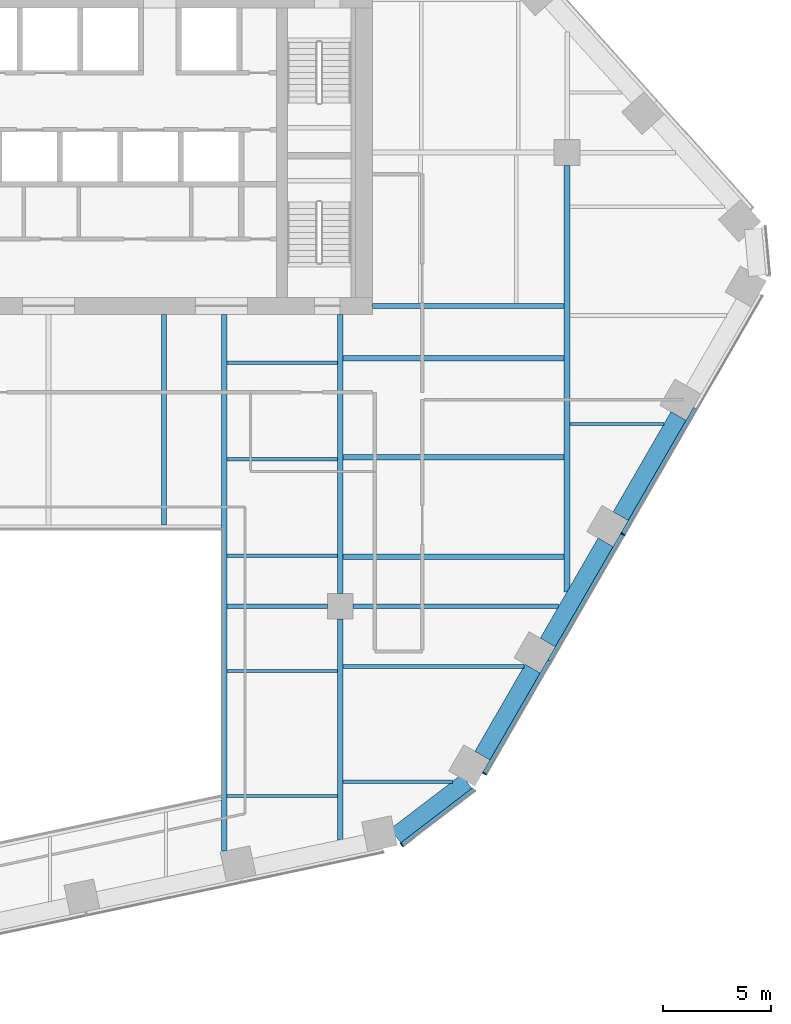
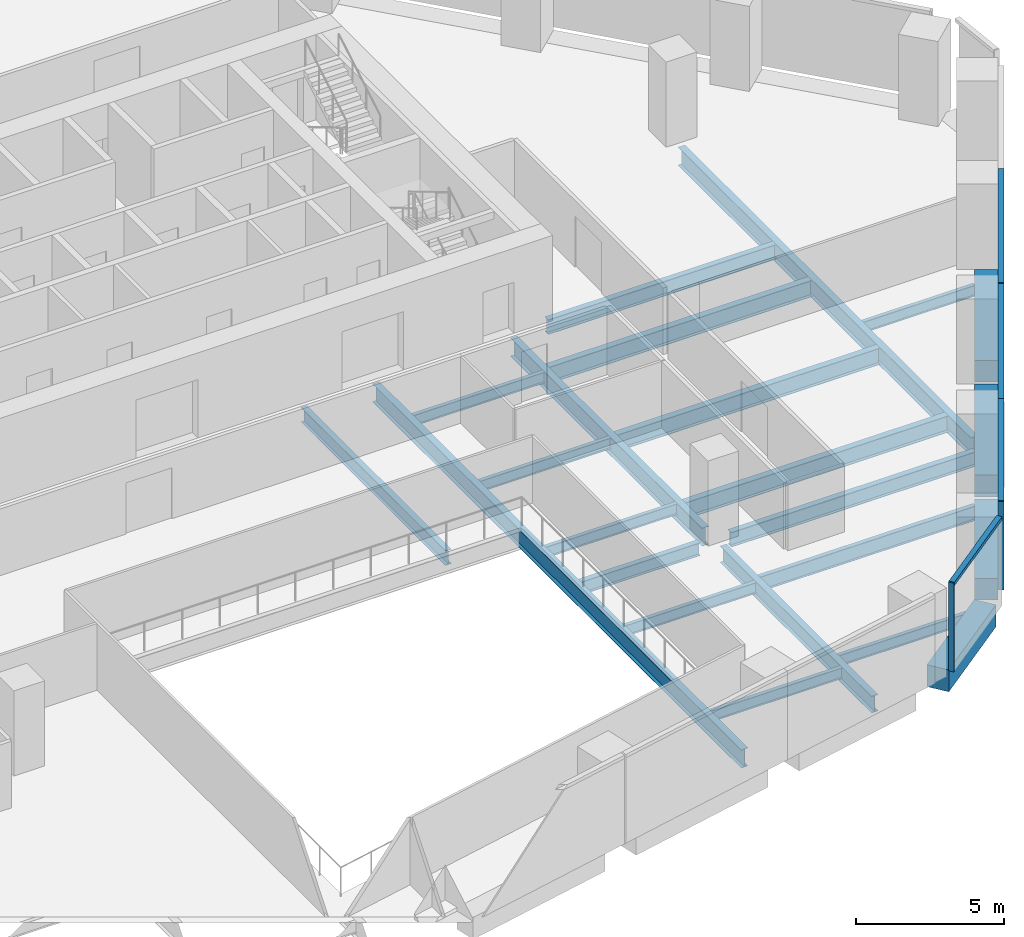
# One storey, part 5 of 16: 23 beams, 7 members, 2 elements without a shape of their own.
"""IFC4 building model written with IfcOpenShell, lengths in metres."""

from ifc_helpers import new_model, si_unit, direction, frame, origin, origin_2d, place, context, subcontext, project, spatial, rectangle, i_section, extrude, material, layer, layer_set, material_profile, profile_set, type_object, element, aggregate, save


model = new_model("IFC4")

# Units and contexts
model_context = context("Model", 3, precision=1e-05, world=origin(), true_north=direction((0.0, 1.0)))
body_context = subcontext(model_context, "Body", "Model", "MODEL_VIEW")
ifc_project = project(units=[si_unit("LENGTHUNIT", "METRE"), si_unit("AREAUNIT", "SQUARE_METRE"), si_unit("VOLUMEUNIT", "CUBIC_METRE"), si_unit("PLANEANGLEUNIT", "RADIAN"), si_unit("MASSUNIT", "GRAM", prefix="KILO")], contexts=[model_context])

# Site, building, storey
site_placement = place(None, origin())
site = spatial("IfcSite", under=ifc_project, at=site_placement, CompositionType="ELEMENT")
building_placement = place(site_placement, origin())
building = spatial("IfcBuilding", under=site, at=building_placement, Name="Isthmus Gate Tower", CompositionType="ELEMENT")
storey_placement = place(building_placement, frame((0.0, 0.0, 148.050048828125)))
storey = spatial("IfcBuildingStorey", under=building, at=storey_placement, Name="L36", CompositionType="ELEMENT", Elevation=148.050048828125)

# Curtain wall, member
ifc_material_1 = material(Name="Aluminium, pale champagne anodised", Category="aluminium")
ifc_layer = layer(ifc_material_1, 0.199951171875)
ifc_layer_set = layer_set([ifc_layer], Name="CW-1 UNITISED CURTAIN WALL 200 DEEP")
curtain_wall_type = type_object("IfcCurtainWallType", Name="CW-1 UNITISED CURTAIN WALL 200 DEEP", PredefinedType="NOTDEFINED", material=ifc_layer_set)
curtain_wall_1_placement = place(storey_placement, origin())
curtain_wall_1 = element("IfcCurtainWall", 1, at=curtain_wall_1_placement, inside=storey, type_object=curtain_wall_type, Name="CW-1 S-SE L36", PredefinedType="NOTDEFINED")
ifc_material_2 = material(Name="Aluminium, pale champagne anodised", Category="aluminium")
ifc_material_profile_1 = material_profile(ifc_material_2, rectangle(XDim=0.06005859375, YDim=0.199951171875, at=origin_2d()), Name="60x200")
ifc_profile_set_1 = profile_set([ifc_material_profile_1], Name="Aluminium, pale champagne anodised")
member_type_1 = type_object("IfcMemberType", Name="CW-1 MULLION 60 X 200", PredefinedType="MULLION", material=ifc_profile_set_1)
member_1_placement = place(storey_placement, frame((16.346435546875, -24.5419921875, 0.0), z_axis=(0.0, 0.0, 1.0), x_axis=(0.794188594387, 0.607671355706, 0.0)))
member_1 = element("IfcMember", 2, at=member_1_placement, type_object=member_type_1, Name="CW-1 mullion", PredefinedType="MULLION", context=body_context, shape_type="SweptSolid", body=[
    extrude(rectangle(XDim=0.06005859375, YDim=0.199951171875, at=origin_2d()), origin(), (0.0, 0.0, 1.0), 3.64990234375),
])

# Curtain wall, members
curtain_wall_2_placement = place(storey_placement, origin())
curtain_wall_2 = element("IfcCurtainWall", 3, at=curtain_wall_2_placement, inside=storey, type_object=curtain_wall_type, Name="CW-1 SE L36", PredefinedType="NOTDEFINED")
member_2_placement = place(storey_placement, frame((20.18115234375, -21.245361328125, 0.0), z_axis=(0.0, 0.0, 1.0), x_axis=(0.5, 0.866025403784, 0.0)))
member_2 = element("IfcMember", 4, at=member_2_placement, type_object=member_type_1, Name="CW-1 mullion", PredefinedType="MULLION", context=body_context, shape_type="SweptSolid", body=[
    extrude(rectangle(XDim=0.06005859375, YDim=0.199951171875, at=origin_2d()), origin(), (0.0, 0.0, 1.0), 3.64990234375),
])
member_3_placement = place(storey_placement, frame((26.5810546875, -10.16015625, 0.0), z_axis=(0.0, 0.0, 1.0), x_axis=(0.5, 0.866025403784, 0.0)))
member_3 = element("IfcMember", 5, at=member_3_placement, type_object=member_type_1, Name="CW-1 mullion", PredefinedType="MULLION", context=body_context, shape_type="SweptSolid", body=[
    extrude(rectangle(XDim=0.06005859375, YDim=0.199951171875, at=origin_2d()), origin(), (0.0, 0.0, 1.0), 3.64990234375),
])

# Member
ifc_material_3 = material(Name="Aluminium, pale champagne anodised", Category="aluminium")
ifc_material_profile_2 = material_profile(ifc_material_3, rectangle(XDim=0.199951171875, YDim=0.139892578125, at=origin_2d()), Name="200x140")
ifc_profile_set_2 = profile_set([ifc_material_profile_2], Name="Aluminium, pale champagne anodised")
member_type_2 = type_object("IfcMemberType", Name="CW-1 TRANSOM 200 X 140", PredefinedType="USERDEFINED", material=ifc_profile_set_2)
member_4_placement = place(storey_placement, frame((16.3701171875, -24.52392578125, 3.579833984375), z_axis=(0.79419705805, 0.607660294066, 0.0), x_axis=(-0.607660294066, 0.79419705805, 0.0)))
member_4 = element("IfcMember", 6, at=member_4_placement, type_object=member_type_2, Name="CW-1 transom", ObjectType="TRANSOM", PredefinedType="USERDEFINED", context=body_context, shape_type="SweptSolid", body=[
    extrude(rectangle(XDim=0.199951171875, YDim=0.139892578125, at=origin_2d()), origin(), (0.0, 0.0, 1.0), 4.181640625),
])

aggregate(curtain_wall_1, [member_1, member_4])

member_5_placement = place(storey_placement, frame((20.196044921875, -21.219482421875, 3.579833984375), z_axis=(0.499996458184, 0.866027448643, 0.0), x_axis=(-0.866027448643, 0.499996458184, 0.0)))
member_5 = element("IfcMember", 7, at=member_5_placement, type_object=member_type_2, Name="CW-1 transom", ObjectType="TRANSOM", PredefinedType="USERDEFINED", context=body_context, shape_type="SweptSolid", body=[
    extrude(rectangle(XDim=0.199951171875, YDim=0.139892578125, at=origin_2d()), origin(), (0.0, 0.0, 1.0), 5.990234375),
])

member_6_placement = place(storey_placement, frame((23.191162109375, -16.03173828125, 3.579833984375), z_axis=(0.499997969693, 0.866026575979, 0.0), x_axis=(-0.866026575979, 0.499997969693, 0.0)))
member_6 = element("IfcMember", 8, at=member_6_placement, type_object=member_type_2, Name="CW-1 transom", ObjectType="TRANSOM", PredefinedType="USERDEFINED", context=body_context, shape_type="SweptSolid", body=[
    extrude(rectangle(XDim=0.199951171875, YDim=0.139892578125, at=origin_2d()), origin(), (0.0, 0.0, 1.0), 6.75),
])

member_7_placement = place(storey_placement, frame((26.59619140625, -10.134033203125, 3.579833984375), z_axis=(0.499997283838, 0.866026971956, 0.0), x_axis=(-0.866026971956, 0.499997283838, 0.0)))
member_7 = element("IfcMember", 9, at=member_7_placement, type_object=member_type_2, Name="CW-1 transom", ObjectType="TRANSOM", PredefinedType="USERDEFINED", context=body_context, shape_type="SweptSolid", body=[
    extrude(rectangle(XDim=0.199951171875, YDim=0.139892578125, at=origin_2d()), origin(), (0.0, 0.0, 1.0), 6.68994140625),
])

aggregate(curtain_wall_2, [member_2, member_5, member_6, member_3, member_7])

# Beams
ifc_material_4 = material(Name="Concrete f'c 60 MPa", Category="concrete")
ifc_material_profile_3 = material_profile(ifc_material_4, rectangle(XDim=0.800048828125, YDim=0.89990234375, at=origin_2d()), Name="RC 800X900")
ifc_profile_set_3 = profile_set([ifc_material_profile_3], Name="Concrete f'c 60 MPa")
beam_type_1 = type_object("IfcBeamType", Name="RC SPANDREL 800 X 900", PredefinedType="SPANDREL", material=ifc_profile_set_3)
for number, where, z_axis, x_axis, name in (
    (10, (29.158203125, -4.696533203125, -0.449951171875), (-0.500001594578, -0.866024483152, 0.0), (0.866024483152, -0.500001594578, 0.0), "str-spandrel-L36-07"),
    (11, (25.783203125, -10.542236328125, -0.449951171875), (-0.500001594578, -0.866024483152, 0.0), (0.866024483152, -0.500001594578, 0.0), "str-spandrel-L36-08"),
):
    element("IfcBeam", number, at=place(storey_placement, frame(where, z_axis=z_axis, x_axis=x_axis)), inside=storey, type_object=beam_type_1, Name=name, PredefinedType="SPANDREL", context=body_context, shape_type="SweptSolid", body=[
        extrude(rectangle(XDim=0.800048828125, YDim=0.89990234375, at=origin_2d()), origin(), (0.0, 0.0, 1.0), 5.35009765625),
    ])
beam_1_placement = place(storey_placement, frame((22.408203125, -16.387939453125, -0.449951171875), z_axis=(-0.500001179632, -0.866024722723, 0.0), x_axis=(0.866024722723, -0.500001179632, 0.0)))
element("IfcBeam", 12, at=beam_1_placement, inside=storey, type_object=beam_type_1, Name="str-spandrel-L36-09", PredefinedType="SPANDREL", context=body_context, shape_type="SweptSolid", body=[
    extrude(rectangle(XDim=0.800048828125, YDim=0.89990234375, at=origin_2d()), origin(), (0.0, 0.0, 1.0), 4.650390625),
])
beam_2_placement = place(storey_placement, frame((19.354248046875, -21.611083984375, -0.449951171875), z_axis=(-0.794205941875, -0.607648682949, 0.0), x_axis=(0.607648682949, -0.794205941875, 0.0)))
element("IfcBeam", 13, at=beam_2_placement, inside=storey, type_object=beam_type_1, Name="str-spandrel-L36-10", PredefinedType="SPANDREL", context=body_context, shape_type="SweptSolid", body=[
    extrude(rectangle(XDim=0.800048828125, YDim=0.89990234375, at=origin_2d()), origin(), (0.0, 0.0, 1.0), 4.15234375),
])
ifc_material_5 = material(Name="Structural steel ASTM A992 Gr 50", Category="steel")
ifc_material_profile_4 = material_profile(ifc_material_5, i_section(OverallWidth=0.15234375, OverallDepth=0.45068359375, WebThickness=0.0078125, FlangeThickness=0.010986328125, at=origin_2d()), Name="W18X35")
ifc_profile_set_4 = profile_set([ifc_material_profile_4], Name="Structural steel ASTM A992 Gr 50")
beam_type_2 = type_object("IfcBeamType", Name="STEEL FLOOR BEAM W18X35", PredefinedType="JOIST", material=ifc_profile_set_4)
for number, where, z_axis, x_axis, name in (
    (14, (8.263427734375, -22.283203125, -0.37548828125), (1.0, 0.0, 0.0), (0.0, 1.0, 0.0), "str-beam-L36-09-00"),
    (15, (8.263427734375, -16.49755859375, -0.37548828125), (1.0, 0.0, 0.0), (0.0, 1.0, 0.0), "str-beam-L36-09-01"),
):
    element("IfcBeam", number, at=place(storey_placement, frame(where, z_axis=z_axis, x_axis=x_axis)), inside=storey, type_object=beam_type_2, Name=name, PredefinedType="JOIST", context=body_context, shape_type="SweptSolid", body=[
        extrude(i_section(OverallWidth=0.15234375, OverallDepth=0.45068359375, WebThickness=0.0078125, FlangeThickness=0.010986328125, at=origin_2d()), origin(), (0.0, 0.0, 1.0), 5.109619140625),
    ])
for number, where, z_axis, x_axis, name in (
    (16, (8.263427734375, -11.16259765625, -0.37548828125), (1.0, 0.0, 0.0), (0.0, 1.0, 0.0), "str-beam-L36-10-00"),
    (17, (8.263427734375, -6.697509765625, -0.37548828125), (1.0, 0.0, 0.0), (0.0, 1.0, 0.0), "str-beam-L36-10-01"),
    (18, (8.263427734375, -2.232421875, -0.37548828125), (1.0, 0.0, 0.0), (0.0, 1.0, 0.0), "str-beam-L36-10-02"),
):
    element("IfcBeam", number, at=place(storey_placement, frame(where, z_axis=z_axis, x_axis=x_axis)), inside=storey, type_object=beam_type_2, Name=name, PredefinedType="JOIST", context=body_context, shape_type="SweptSolid", body=[
        extrude(i_section(OverallWidth=0.15234375, OverallDepth=0.45068359375, WebThickness=0.0078125, FlangeThickness=0.010986328125, at=origin_2d()), origin(), (0.0, 0.0, 1.0), 5.104736328125),
    ])
beam_3_placement = place(storey_placement, frame((13.626953125, -21.61767578125, -0.37548828125), z_axis=(1.0, 0.0, 0.0), x_axis=(0.0, 1.0, 0.0)))
element("IfcBeam", 19, at=beam_3_placement, inside=storey, type_object=beam_type_2, Name="str-beam-L36-11-00", PredefinedType="JOIST", context=body_context, shape_type="SweptSolid", body=[
    extrude(i_section(OverallWidth=0.15234375, OverallDepth=0.45068359375, WebThickness=0.0078125, FlangeThickness=0.010986328125, at=origin_2d()), origin(), (0.0, 0.0, 1.0), 5.060302734375),
])
beam_4_placement = place(storey_placement, frame((24.13330078125, -5.0625, -0.37548828125), z_axis=(1.0, 0.0, 0.0), x_axis=(0.0, 1.0, 0.0)))
element("IfcBeam", 20, at=beam_4_placement, inside=storey, type_object=beam_type_2, Name="str-beam-L36-16-00", PredefinedType="JOIST", context=body_context, shape_type="SweptSolid", body=[
    extrude(i_section(OverallWidth=0.15234375, OverallDepth=0.45068359375, WebThickness=0.0078125, FlangeThickness=0.010986328125, at=origin_2d()), origin(), (0.0, 0.0, 1.0), 4.351806640625),
])
ifc_material_6 = material(Name="Structural steel ASTM A992 Gr 50", Category="steel")
ifc_material_profile_5 = material_profile(ifc_material_6, i_section(OverallWidth=0.177734375, OverallDepth=0.60009765625, WebThickness=0.009521484375, FlangeThickness=0.0126953125, at=origin_2d()), Name="W24X55")
ifc_profile_set_5 = profile_set([ifc_material_profile_5], Name="Structural steel ASTM A992 Gr 50")
beam_type_3 = type_object("IfcBeamType", Name="STEEL FLOOR BEAM W24X55", PredefinedType="JOIST", material=ifc_profile_set_5)
beam_5_placement = place(storey_placement, frame((13.626953125, -16.2822265625, -0.4501953125), z_axis=(1.0, 0.0, 0.0), x_axis=(0.0, 1.0, 0.0)))
element("IfcBeam", 21, at=beam_5_placement, inside=storey, type_object=beam_type_3, Name="str-beam-L36-11-01", PredefinedType="JOIST", context=body_context, shape_type="SweptSolid", body=[
    extrude(i_section(OverallWidth=0.177734375, OverallDepth=0.60009765625, WebThickness=0.009521484375, FlangeThickness=0.0126953125, at=origin_2d()), origin(), (0.0, 0.0, 1.0), 8.38037109375),
])
ifc_material_7 = material(Name="Structural steel ASTM A992 Gr 50", Category="steel")
ifc_material_profile_6 = material_profile(ifc_material_7, i_section(OverallWidth=0.228515625, OverallDepth=0.603271484375, WebThickness=0.010986328125, FlangeThickness=0.014404296875, at=origin_2d()), Name="W24X68")
ifc_profile_set_6 = profile_set([ifc_material_profile_6], Name="Structural steel ASTM A992 Gr 50")
beam_type_4 = type_object("IfcBeamType", Name="STEEL FLOOR BEAM W24X68", PredefinedType="JOIST", material=ifc_profile_set_6)
beam_6_placement = place(storey_placement, frame((5.333251953125, -9.7333984375, -0.45166015625), z_axis=(0.0, 1.0, 0.0), x_axis=(-1.0, 0.0, 0.0)))
element("IfcBeam", 22, at=beam_6_placement, inside=storey, type_object=beam_type_4, Name="str-beam-L36-06-02", PredefinedType="JOIST", context=body_context, shape_type="SweptSolid", body=[
    extrude(i_section(OverallWidth=0.228515625, OverallDepth=0.603271484375, WebThickness=0.010986328125, FlangeThickness=0.014404296875, at=origin_2d()), origin(), (0.0, 0.0, 1.0), 9.7333984375),
])
ifc_material_8 = material(Name="Structural steel ASTM A992 Gr 50", Category="steel")
ifc_material_profile_7 = material_profile(ifc_material_8, i_section(OverallWidth=0.25390625, OverallDepth=0.679443359375, WebThickness=0.010986328125, FlangeThickness=0.015869140625, at=origin_2d()), Name="W27X84")
ifc_profile_set_7 = profile_set([ifc_material_profile_7], Name="Structural steel ASTM A992 Gr 50")
beam_type_5 = type_object("IfcBeamType", Name="STEEL FLOOR BEAM W27X84", PredefinedType="JOIST", material=ifc_profile_set_7)
for number, where, z_axis, x_axis, name in (
    (23, (13.6318359375, -11.202392578125, -0.48974609375), (1.0, 0.0, 0.0), (0.0, 1.0, 0.0), "str-beam-L36-12-00"),
    (24, (13.6318359375, -6.607177734375, -0.48974609375), (1.0, 0.0, 0.0), (0.0, 1.0, 0.0), "str-beam-L36-12-01"),
    (25, (13.6318359375, -2.011962890625, -0.48974609375), (1.0, 0.0, 0.0), (0.0, 1.0, 0.0), "str-beam-L36-12-02"),
):
    element("IfcBeam", number, at=place(storey_placement, frame(where, z_axis=z_axis, x_axis=x_axis)), inside=storey, type_object=beam_type_5, Name=name, PredefinedType="JOIST", context=body_context, shape_type="SweptSolid", body=[
        extrude(i_section(OverallWidth=0.25390625, OverallDepth=0.679443359375, WebThickness=0.010986328125, FlangeThickness=0.015869140625, at=origin_2d()), origin(), (0.0, 0.0, 1.0), 10.23486328125),
    ])
ifc_material_9 = material(Name="Structural steel ASTM A992 Gr 50", Category="steel")
ifc_material_profile_8 = material_profile(ifc_material_9, i_section(OverallWidth=0.20947265625, OverallDepth=0.533447265625, WebThickness=0.009521484375, FlangeThickness=0.015869140625, at=origin_2d()), Name="W21X62")
ifc_profile_set_8 = profile_set([ifc_material_profile_8], Name="Structural steel ASTM A992 Gr 50")
beam_type_6 = type_object("IfcBeamType", Name="STEEL GIRDER W21X62", PredefinedType="BEAM", material=ifc_profile_set_8)
beam_7_placement = place(storey_placement, frame((8.263427734375, -13.5, -0.416748046875), z_axis=(1.0, 0.0, 0.0), x_axis=(0.0, 1.0, 0.0)))
element("IfcBeam", 26, at=beam_7_placement, inside=storey, type_object=beam_type_6, Name="str-girder-L36-03", PredefinedType="BEAM", context=body_context, shape_type="SweptSolid", body=[
    extrude(i_section(OverallWidth=0.20947265625, OverallDepth=0.533447265625, WebThickness=0.009521484375, FlangeThickness=0.015869140625, at=origin_2d()), origin(), (0.0, 0.0, 1.0), 4.636474609375),
])
ifc_material_10 = material(Name="Structural steel ASTM A992 Gr 50", Category="steel")
ifc_material_profile_9 = material_profile(ifc_material_10, i_section(OverallWidth=0.228515625, OverallDepth=0.6064453125, WebThickness=0.010986328125, FlangeThickness=0.017578125, at=origin_2d()), Name="W24X76")
ifc_profile_set_9 = profile_set([ifc_material_profile_9], Name="Structural steel ASTM A992 Gr 50")
beam_type_7 = type_object("IfcBeamType", Name="STEEL GIRDER W24X76", PredefinedType="BEAM", material=ifc_profile_set_9)
beam_8_placement = place(storey_placement, frame((14.10009765625, -13.5, -0.453369140625), z_axis=(1.0, 0.0, 0.0), x_axis=(0.0, 1.0, 0.0)))
element("IfcBeam", 27, at=beam_8_placement, inside=storey, type_object=beam_type_7, Name="str-girder-L36-04", PredefinedType="BEAM", context=body_context, shape_type="SweptSolid", body=[
    extrude(i_section(OverallWidth=0.228515625, OverallDepth=0.6064453125, WebThickness=0.010986328125, FlangeThickness=0.017578125, at=origin_2d()), origin(), (0.0, 0.0, 1.0), 9.513427734375),
])
beam_9_placement = place(storey_placement, frame((15.0, 0.39990234375, -0.453369140625), z_axis=(1.0, 0.0, 0.0), x_axis=(0.0, 1.0, 0.0)))
element("IfcBeam", 28, at=beam_9_placement, inside=storey, type_object=beam_type_7, Name="str-girder-L36-14", PredefinedType="BEAM", context=body_context, shape_type="SweptSolid", body=[
    extrude(i_section(OverallWidth=0.228515625, OverallDepth=0.6064453125, WebThickness=0.010986328125, FlangeThickness=0.017578125, at=origin_2d()), origin(), (0.0, 0.0, 1.0), 8.86669921875),
])
ifc_material_11 = material(Name="Structural steel ASTM A992 Gr 50", Category="steel")
ifc_material_profile_10 = material_profile(ifc_material_11, i_section(OverallWidth=0.25390625, OverallDepth=0.679443359375, WebThickness=0.010986328125, FlangeThickness=0.015869140625, at=origin_2d()), Name="W27X84")
ifc_profile_set_10 = profile_set([ifc_material_profile_10], Name="Structural steel ASTM A992 Gr 50")
beam_type_8 = type_object("IfcBeamType", Name="STEEL GIRDER W27X84", PredefinedType="BEAM", material=ifc_profile_set_10)
beam_10_placement = place(storey_placement, frame((13.5, -24.3125, -0.48974609375), z_axis=(0.0, 1.0, 0.0), x_axis=(-1.0, 0.0, 0.0)))
element("IfcBeam", 29, at=beam_10_placement, inside=storey, type_object=beam_type_8, Name="str-girder-L36-09", PredefinedType="BEAM", context=body_context, shape_type="SweptSolid", body=[
    extrude(i_section(OverallWidth=0.25390625, OverallDepth=0.679443359375, WebThickness=0.010986328125, FlangeThickness=0.015869140625, at=origin_2d()), origin(), (0.0, 0.0, 1.0), 10.21240234375),
])
ifc_material_12 = material(Name="Structural steel ASTM A992 Gr 50", Category="steel")
ifc_material_profile_11 = material_profile(ifc_material_12, i_section(OverallWidth=0.2666015625, OverallDepth=0.7587890625, WebThickness=0.014404296875, FlangeThickness=0.01904296875, at=origin_2d()), Name="W30X108")
ifc_profile_set_11 = profile_set([ifc_material_profile_11], Name="Structural steel ASTM A992 Gr 50")
beam_type_9 = type_object("IfcBeamType", Name="STEEL GIRDER W30X108", PredefinedType="BEAM", material=ifc_profile_set_11)
beam_11_placement = place(storey_placement, frame((24.0, -12.830810546875, -0.529541015625), z_axis=(0.0, 1.0, 0.0), x_axis=(-1.0, 0.0, 0.0)))
element("IfcBeam", 30, at=beam_11_placement, inside=storey, type_object=beam_type_9, Name="str-girder-L36-11", PredefinedType="BEAM", context=body_context, shape_type="SweptSolid", body=[
    extrude(i_section(OverallWidth=0.2666015625, OverallDepth=0.7587890625, WebThickness=0.014404296875, FlangeThickness=0.01904296875, at=origin_2d()), origin(), (0.0, 0.0, 1.0), 19.730712890625),
])
ifc_material_13 = material(Name="Structural steel ASTM A992 Gr 50", Category="steel")
ifc_material_profile_12 = material_profile(ifc_material_13, i_section(OverallWidth=0.263427734375, OverallDepth=0.749267578125, WebThickness=0.0126953125, FlangeThickness=0.015869140625, at=origin_2d()), Name="W30X90")
ifc_profile_set_12 = profile_set([ifc_material_profile_12], Name="Structural steel ASTM A992 Gr 50")
beam_type_10 = type_object("IfcBeamType", Name="STEEL GIRDER W30X90", PredefinedType="BEAM", material=ifc_profile_set_12)
beam_12_placement = place(storey_placement, frame((13.5, -12.89990234375, -0.524658203125), z_axis=(0.0, 1.0, 0.0), x_axis=(-1.0, 0.0, 0.0)))
element("IfcBeam", 31, at=beam_12_placement, inside=storey, type_object=beam_type_10, Name="str-girder-L36-10", PredefinedType="BEAM", context=body_context, shape_type="SweptSolid", body=[
    extrude(i_section(OverallWidth=0.263427734375, OverallDepth=0.749267578125, WebThickness=0.0126953125, FlangeThickness=0.015869140625, at=origin_2d()), origin(), (0.0, 0.0, 1.0), 12.89990234375),
])
ifc_material_14 = material(Name="Structural steel ASTM A992 Gr 50", Category="steel")
ifc_material_profile_13 = material_profile(ifc_material_14, i_section(OverallWidth=0.263427734375, OverallDepth=0.749267578125, WebThickness=0.0126953125, FlangeThickness=0.015869140625, at=origin_2d()), Name="W30X90")
ifc_profile_set_13 = profile_set([ifc_material_profile_13], Name="Structural steel ASTM A992 Gr 50")
beam_type_11 = type_object("IfcBeamType", Name="STEEL TRIMMER W30X90", PredefinedType="BEAM", material=ifc_profile_set_13)
beam_13_placement = place(storey_placement, frame((8.1318359375, -24.84033203125, -0.524658203125), z_axis=(0.0, 1.0, 0.0), x_axis=(-1.0, 0.0, 0.0)))
element("IfcBeam", 32, at=beam_13_placement, inside=storey, type_object=beam_type_11, Name="str-trimmer-L36-01", PredefinedType="BEAM", context=body_context, shape_type="SweptSolid", body=[
    extrude(i_section(OverallWidth=0.263427734375, OverallDepth=0.749267578125, WebThickness=0.0126953125, FlangeThickness=0.015869140625, at=origin_2d()), origin(), (0.0, 0.0, 1.0), 24.84033203125),
])

save(model, "model.ifc")
